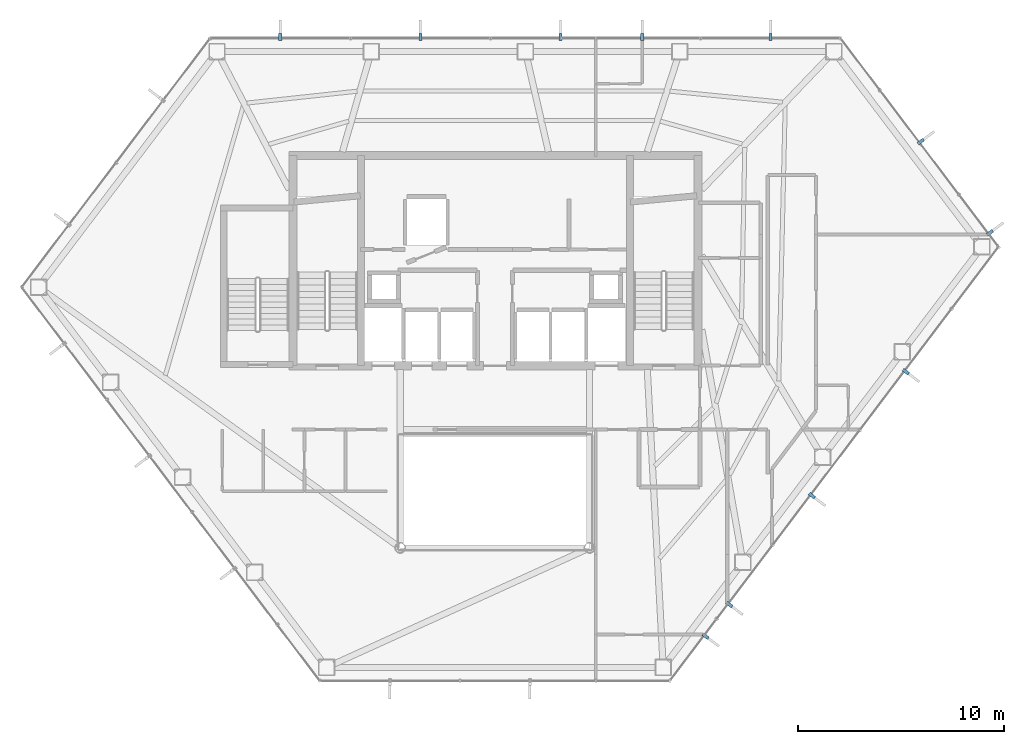
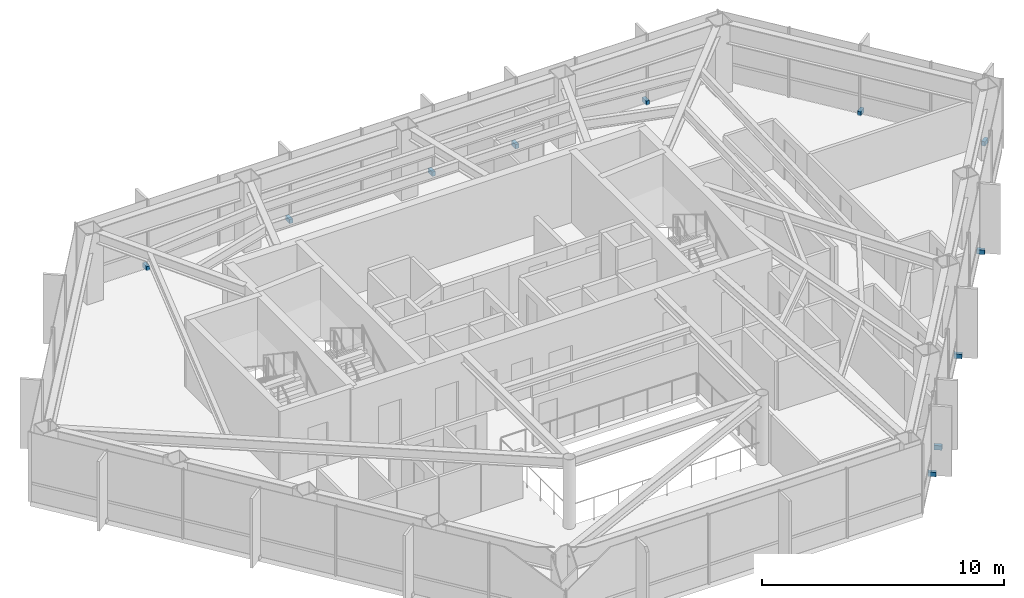
# One storey, part 28 of 29: 11 discrete accessories.
"""IFC4 building model written with IfcOpenShell, lengths in metres."""

from ifc_helpers import new_model, si_unit, direction, frame, origin, origin_2d, place, context, subcontext, project, spatial, rectangle, extrude, material, type_object, element, save


model = new_model("IFC4")

# Units and contexts
model_context = context("Model", 3, precision=1e-05, world=origin(), true_north=direction((0.0, 1.0)))
body_context = subcontext(model_context, "Body", "Model", "MODEL_VIEW")
ifc_project = project(units=[si_unit("LENGTHUNIT", "METRE"), si_unit("AREAUNIT", "SQUARE_METRE"), si_unit("VOLUMEUNIT", "CUBIC_METRE"), si_unit("PLANEANGLEUNIT", "RADIAN"), si_unit("MASSUNIT", "GRAM", prefix="KILO")], contexts=[model_context])

# Site, building, storey
site_placement = place(None, origin())
site = spatial("IfcSite", under=ifc_project, at=site_placement, CompositionType="ELEMENT")
building_placement = place(site_placement, origin())
building = spatial("IfcBuilding", under=site, at=building_placement, Name="Zarrinselat Tower", CompositionType="ELEMENT")
storey_placement = place(building_placement, frame((0.0, 0.0, 138.3798828125)))
storey = spatial("IfcBuildingStorey", under=building, at=storey_placement, Name="L33", CompositionType="ELEMENT", Elevation=138.3798828125)

# Discrete accessories
ifc_material = material(Name="Steel S355J2", Category="steel")
discrete_accessory_type = type_object("IfcDiscreteAccessoryType", Name="ACC-FIN-BRACKET", PredefinedType="BRACKET", material=ifc_material)
for number, where, z_axis, x_axis, name in (
    (1, (51.787353515625, 49.219970703125, -0.0498046875), (0.0, 0.0, 1.0), (0.0, 1.0, 0.0), "L33 Fin Fixing Bracket CW-L33-E01-01"),
    (2, (45.550048828125, 49.219970703125, -0.0498046875), (0.0, 0.0, 1.0), (0.0, 1.0, 0.0), "L33 Fin Fixing Bracket CW-L33-E01-03"),
    (3, (41.585205078125, 49.219970703125, -0.0498046875), (0.0, 0.0, 1.0), (0.0, 1.0, 0.0), "L33 Fin Fixing Bracket CW-L33-E01-05"),
    (4, (34.78369140625, 49.219970703125, -0.0498046875), (0.0, 0.0, 1.0), (0.0, 1.0, 0.0), "L33 Fin Fixing Bracket CW-L33-E01-07"),
    (5, (27.982177734375, 49.219970703125, -0.0498046875), (0.0, 0.0, 1.0), (0.0, 1.0, 0.0), "L33 Fin Fixing Bracket CW-L33-E01-09"),
    (6, (48.626708984375, 20.11328125, -0.0498046875), (0.0, 0.0, 1.0), (0.797093582509, -0.603855794642, 0.0), "L33 Fin Fixing Bracket CW-L33-E05-01"),
    (7, (49.787109375, 21.64501953125, -0.0498046875), (0.0, 0.0, 1.0), (0.797093582509, -0.603855794642, 0.0), "L33 Fin Fixing Bracket CW-L33-E05-03"),
    (8, (53.794921875, 26.935302734375, -0.0498046875), (0.0, 0.0, 1.0), (0.797093582509, -0.603855794642, 0.0), "L33 Fin Fixing Bracket CW-L33-E05-05"),
    (9, (58.3564453125, 32.95654296875, -0.0498046875), (0.0, 0.0, 1.0), (0.797093582509, -0.603855794642, 0.0), "L33 Fin Fixing Bracket CW-L33-E05-07"),
    (10, (62.43603515625, 39.698486328125, -0.0498046875), (0.0, 0.0, 1.0), (0.79709088567, 0.60385935447, 0.0), "L33 Fin Fixing Bracket CW-L33-E06-01"),
    (11, (59.080810546875, 44.127197265625, -0.0498046875), (0.0, 0.0, 1.0), (0.79709088567, 0.60385935447, 0.0), "L33 Fin Fixing Bracket CW-L33-E06-03"),
):
    element("IfcDiscreteAccessory", number, at=place(storey_placement, frame(where, z_axis=z_axis, x_axis=x_axis)), inside=storey, type_object=discrete_accessory_type, Name=name, PredefinedType="BRACKET", context=body_context, shape_type="SweptSolid", body=[
        extrude(rectangle(XDim=0.340087890625, YDim=0.159912109375, at=origin_2d()), origin(), (0.0, 0.0, 1.0), 0.219970703125),
    ])

save(model, "model.ifc")
